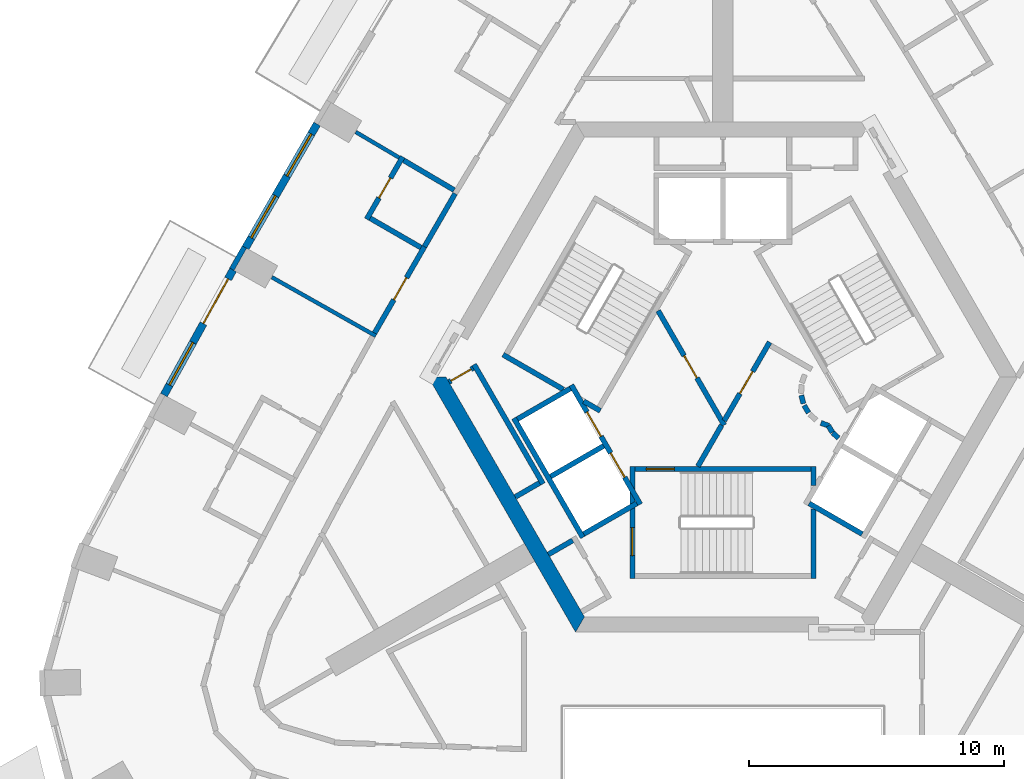
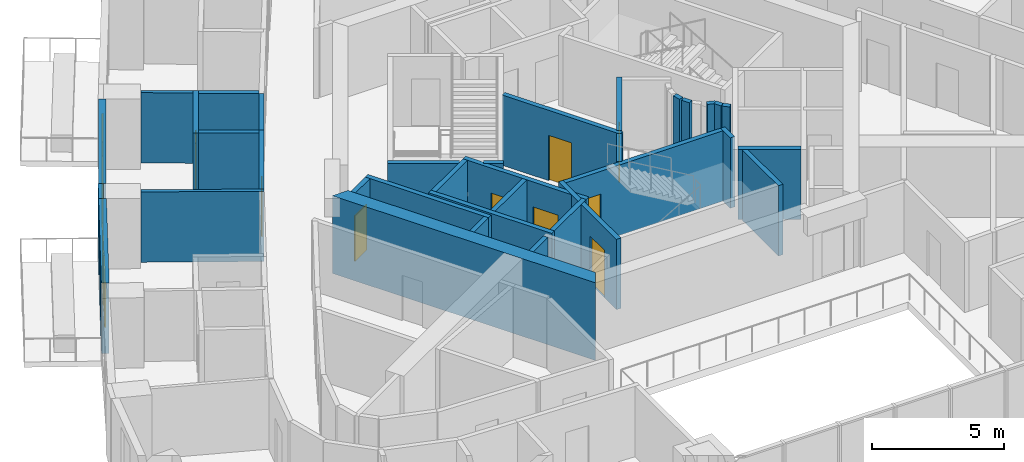
# One storey, part 5 of 14: 35 walls, 10 doors, 3 windows, 13 openings.
"""IFC4 building model written with IfcOpenShell, lengths in metres."""

from ifc_helpers import new_model, si_unit, direction, frame, frame_2d, origin, place, context, subcontext, project, spatial, polyline, rectangle, outline, extrude, material, layer, layer_set, type_object, element, fill, save


model = new_model("IFC4")

# Units and contexts
model_context = context("Model", 3, precision=1e-05, world=origin(), true_north=direction((0.0, 1.0)))
body_context = subcontext(model_context, "Body", "Model", "MODEL_VIEW")
ifc_project = project(units=[si_unit("LENGTHUNIT", "METRE"), si_unit("AREAUNIT", "SQUARE_METRE"), si_unit("VOLUMEUNIT", "CUBIC_METRE"), si_unit("PLANEANGLEUNIT", "RADIAN"), si_unit("MASSUNIT", "GRAM", prefix="KILO")], contexts=[model_context])

# Site, building, storey
site_placement = place(None, origin())
site = spatial("IfcSite", under=ifc_project, at=site_placement, CompositionType="ELEMENT")
building_placement = place(site_placement, origin())
building = spatial("IfcBuilding", under=site, at=building_placement, Name="Entoto Arch Interchange Tower", CompositionType="ELEMENT")
storey_placement = place(building_placement, frame((0.0, 0.0, 259.39990234375)))
storey = spatial("IfcBuildingStorey", under=building, at=storey_placement, Name="L59", CompositionType="ELEMENT", Elevation=259.39990234375)

# Wall
ifc_material_1 = material(Name="Concrete C40/50", Category="concrete")
ifc_layer_1 = layer(ifc_material_1, 0.60009765625)
ifc_layer_set_1 = layer_set([ifc_layer_1], Name="Concrete C40/50")
wall_type_1 = type_object("IfcWallType", Name="Core wall 600 C40/50", PredefinedType="SHEAR", material=ifc_layer_set_1)
wall_1_placement = place(storey_placement, frame((0.0, 0.0, -0.33984375)))
element("IfcWall", 1, at=wall_1_placement, inside=storey, type_object=wall_type_1, Name="Core wall SW L59", PredefinedType="SHEAR", context=body_context, shape_type="SweptSolid", body=[
    extrude(outline(polyline([(-11.547119140625, 2.5), (-5.77392578125, -7.5), (-5.427001953125, -6.89990234375), (-10.85400390625, 2.5), (-11.547119140625, 2.5)])), origin(), (0.0, 0.0, 1.0), 3.599853515625),
])

# Wall, openings, doors
ifc_layer_2 = layer(ifc_material_1, 0.199951171875)
ifc_layer_set_2 = layer_set([ifc_layer_2], Name="Concrete C40/50")
wall_type_2 = type_object("IfcWallType", Name="LIFT SHAFT WALL 200", PredefinedType="STANDARD", material=ifc_layer_set_2)
wall_2_placement = place(storey_placement, frame((-5.93994140625, 2.18798828125, 0.0), z_axis=(0.0, 0.0, 1.0), x_axis=(0.500034260056, -0.866005622828, 0.0)))
wall_2 = element("IfcWall", 2, at=wall_2_placement, inside=storey, type_object=wall_type_2, Name="Shaft wall SW1 front", PredefinedType="STANDARD", context=body_context, shape_type="SweptSolid", body=[
    extrude(rectangle(XDim=5.3994140625, YDim=0.199951171875, at=frame_2d((2.69970703125, 0.0))), origin(), (0.0, 0.0, 1.0), 3.260009765625),
])
opening_1_placement = place(wall_2_placement, frame((3.074951171875, 0.0, 0.0)))
opening_1 = element("IfcOpeningElement", 3, at=opening_1_placement, cuts=wall_2, Name="Opening LD-HR4-L59", PredefinedType="OPENING", context=body_context, shape_type="SweptSolid", body=[
    extrude(rectangle(XDim=1.10009765625, YDim=2.10009765625, at=frame_2d((0.550048828125, 1.050048828125))), frame((0.0, 0.10986328125, 0.0), z_axis=(0.0, -1.0, 0.0), x_axis=(1.0, 0.0, 0.0)), (0.0, 0.0, 1.0), 0.219970703125),
])
opening_2_placement = place(wall_2_placement, frame((1.22509765625, 0.0, 0.0)))
opening_2 = element("IfcOpeningElement", 4, at=opening_2_placement, cuts=wall_2, Name="Opening LD-FF2-L59", PredefinedType="OPENING", context=body_context, shape_type="SweptSolid", body=[
    extrude(rectangle(XDim=1.10009765625, YDim=2.10009765625, at=frame_2d((0.550048828125, 1.050048828125))), frame((0.0, 0.10986328125, 0.0), z_axis=(0.0, -1.0, 0.0), x_axis=(1.0, 0.0, 0.0)), (0.0, 0.0, 1.0), 0.219970703125),
])
ifc_material_2 = material(Name="Stainless steel 1.4301 panels", Category="steel")
door_type_1 = type_object("IfcDoorType", Name="LIFT LANDING DOOR LD1 1100x2100", OperationType="SLIDING_TO_LEFT", PredefinedType="DOOR", material=ifc_material_2)
door_1_placement = place(opening_1_placement, origin())
door_1 = element("IfcDoor", 5, at=door_1_placement, inside=storey, type_object=door_type_1, Name="Lift landing door HR4 L59", OperationType="SLIDING_TO_LEFT", OverallHeight=2.10009765625, OverallWidth=1.10009765625, PredefinedType="DOOR", context=body_context, shape_type="SweptSolid", body=[
    extrude(rectangle(XDim=1.10009765625, YDim=2.10009765625, at=frame_2d((0.550048828125, 1.050048828125))), frame((0.0, 0.02490234375, 0.0), z_axis=(0.0, -1.0, 0.0), x_axis=(1.0, 0.0, 0.0)), (0.0, 0.0, 1.0), 0.050048828125),
])
fill(opening_1, door_1)
door_2_placement = place(opening_2_placement, origin())
door_2 = element("IfcDoor", 6, at=door_2_placement, inside=storey, type_object=door_type_1, Name="Lift landing door FF2 L59", OperationType="SLIDING_TO_LEFT", OverallHeight=2.10009765625, OverallWidth=1.10009765625, PredefinedType="DOOR", context=body_context, shape_type="SweptSolid", body=[
    extrude(rectangle(XDim=1.10009765625, YDim=2.10009765625, at=frame_2d((0.550048828125, 1.050048828125))), frame((0.0, 0.02490234375, 0.0), z_axis=(0.0, -1.0, 0.0), x_axis=(1.0, 0.0, 0.0)), (0.0, 0.0, 1.0), 0.050048828125),
])
fill(opening_2, door_2)

# Walls
wall_3_placement = place(storey_placement, frame((-8.19189453125, 0.887939453125, 0.0), z_axis=(0.0, 0.0, 1.0), x_axis=(0.500034260056, -0.866005622828, 0.0)))
element("IfcWall", 7, at=wall_3_placement, inside=storey, type_object=wall_type_2, Name="Shaft wall SW1 back", PredefinedType="STANDARD", context=body_context, shape_type="SweptSolid", body=[
    extrude(rectangle(XDim=5.3994140625, YDim=0.199951171875, at=frame_2d((2.69970703125, 0.0))), origin(), (0.0, 0.0, 1.0), 3.260009765625),
])
for number, where, z_axis, x_axis, name in (
    (8, (-5.97705078125, 2.052001953125, 0.0), (0.0, 0.0, 1.0), (-0.865973769406, -0.500089422704, 0.0), "Shaft wall SW1 cross 1"),
    (9, (-4.677001953125, -0.199951171875, 0.0), (0.0, 0.0, 1.0), (-0.865973769406, -0.500089422704, 0.0), "Shaft wall SW1 cross 2"),
):
    element("IfcWall", number, at=place(storey_placement, frame(where, z_axis=z_axis, x_axis=x_axis)), inside=storey, type_object=wall_type_2, Name=name, PredefinedType="STANDARD", context=body_context, shape_type="SweptSolid", body=[
        extrude(rectangle(XDim=2.3994140625, YDim=0.199951171875, at=frame_2d((1.19970703125, 0.0))), origin(), (0.0, 0.0, 1.0), 3.260009765625),
    ])
for number, where, z_axis, x_axis, name in (
    (10, (-3.376953125, -2.451904296875, 0.0), (0.0, 0.0, 1.0), (-0.865955154139, -0.50012165622, 0.0), "Shaft wall SW1 cross 3"),
    (11, (3.376953125, -2.451904296875, 0.0), (0.0, 0.0, 1.0), (0.865955154139, -0.50012165622, 0.0), "Shaft wall SE1 cross 1"),
):
    element("IfcWall", number, at=place(storey_placement, frame(where, z_axis=z_axis, x_axis=x_axis)), inside=storey, type_object=wall_type_2, Name=name, PredefinedType="STANDARD", context=body_context, shape_type="SweptSolid", body=[
        extrude(rectangle(XDim=2.39990234375, YDim=0.199951171875, at=frame_2d((1.199951171875, 0.0))), origin(), (0.0, 0.0, 1.0), 3.260009765625),
    ])
ifc_material_3 = material(Name="Gypsum board partition on steel studs", Category="steel")
ifc_layer_3 = layer(ifc_material_3, 0.14990234375)
ifc_layer_set_3 = layer_set([ifc_layer_3], Name="Gypsum board partition on steel studs")
wall_type_3 = type_object("IfcWallType", Name="PARTITION 150", PredefinedType="PARTITIONING", material=ifc_layer_set_3)
wall_4_placement = place(storey_placement, frame((-12.68505859375, 11.095947265625, 0.0), z_axis=(0.0, 0.0, 1.0), x_axis=(-0.861157054724, 0.508338988371, 0.0)))
element("IfcWall", 12, at=wall_4_placement, inside=storey, type_object=wall_type_3, Name="wall:L59:p163", PredefinedType="PARTITIONING", context=body_context, shape_type="SweptSolid", body=[
    extrude(rectangle(XDim=1.981201171875, YDim=0.14990234375, at=frame_2d((0.99072265625, 0.0))), origin(), (0.0, 0.0, 1.0), 3.260009765625),
])
wall_5_placement = place(storey_placement, frame((-13.60205078125, 4.110107421875, 0.0), z_axis=(0.0, 0.0, 1.0), x_axis=(-0.870787203306, 0.491660092502, 0.0)))
element("IfcWall", 13, at=wall_5_placement, inside=storey, type_object=wall_type_3, Name="wall:L59:p167", PredefinedType="PARTITIONING", context=body_context, shape_type="SweptSolid", body=[
    extrude(rectangle(XDim=4.6796875, YDim=0.14990234375, at=frame_2d((2.33984375, 0.0))), origin(), (0.0, 0.0, 1.0), 3.260009765625),
])

# Wall, opening, door
ifc_layer_4 = layer(ifc_material_3, 0.199951171875)
ifc_layer_set_4 = layer_set([ifc_layer_4], Name="Gypsum board partition on steel studs")
wall_type_4 = type_object("IfcWallType", Name="PARTITION 200", PredefinedType="PARTITIONING", material=ifc_layer_set_4)
wall_6_placement = place(storey_placement, frame((-13.652099609375, 4.22412109375, 0.0), z_axis=(0.0, 0.0, 1.0), x_axis=(0.500221427001, 0.865897525097, 0.0)))
wall_6 = element("IfcWall", 14, at=wall_6_placement, inside=storey, type_object=wall_type_4, Name="wall:L59:p060", PredefinedType="PARTITIONING", context=body_context, shape_type="SweptSolid", body=[
    extrude(rectangle(XDim=3.910400390625, YDim=0.199951171875, at=frame_2d((1.955078125, 0.0))), origin(), (0.0, 0.0, 1.0), 3.260009765625),
])
opening_3_placement = place(wall_6_placement, frame((1.5048828125, 0.0, 0.0)))
opening_3 = element("IfcOpeningElement", 15, at=opening_3_placement, cuts=wall_6, Name="Opening L59-D23", PredefinedType="OPENING", context=body_context, shape_type="SweptSolid", body=[
    extrude(rectangle(XDim=1.0, YDim=2.10009765625, at=frame_2d((0.5, 1.050048828125))), frame((0.0, 0.10986328125, 0.0), z_axis=(0.0, -1.0, 0.0), x_axis=(1.0, 0.0, 0.0)), (0.0, 0.0, 1.0), 0.219970703125),
])
ifc_material_4 = material(Name="Fire-rated Steel S235 door and frame", Category="steel")
door_type_2 = type_object("IfcDoorType", Name="DOOR FD-10 1000x2100", OperationType="SINGLE_SWING_LEFT", PredefinedType="DOOR", material=ifc_material_4)
door_3_placement = place(opening_3_placement, origin())
door_3 = element("IfcDoor", 16, at=door_3_placement, inside=storey, type_object=door_type_2, Name="door:L59:23", OperationType="SINGLE_SWING_RIGHT", OverallHeight=2.10009765625, OverallWidth=1.0, PredefinedType="DOOR", context=body_context, shape_type="SweptSolid", body=[
    extrude(rectangle(XDim=1.0, YDim=2.10009765625, at=frame_2d((0.5, 1.050048828125))), frame((0.0, 0.02490234375, 0.0), z_axis=(0.0, -1.0, 0.0), x_axis=(1.0, 0.0, 0.0)), (0.0, 0.0, 1.0), 0.050048828125),
])
fill(opening_3, door_3)

# Wall
wall_7_placement = place(storey_placement, frame((-11.696044921875, 7.610107421875, 0.0), z_axis=(0.0, 0.0, 1.0), x_axis=(0.500089422704, 0.865973769406, 0.0)))
element("IfcWall", 17, at=wall_7_placement, inside=storey, type_object=wall_type_4, Name="wall:L59:p061", PredefinedType="PARTITIONING", context=body_context, shape_type="SweptSolid", body=[
    extrude(rectangle(XDim=2.3994140625, YDim=0.199951171875, at=frame_2d((1.19970703125, 0.0))), origin(), (0.0, 0.0, 1.0), 3.260009765625),
])

# Wall, opening, door
wall_8_placement = place(storey_placement, frame((-10.740966796875, 2.302978515625, 0.0), z_axis=(0.0, 0.0, 1.0), x_axis=(0.866063652425, 0.499933745558, 0.0)))
wall_8 = element("IfcWall", 18, at=wall_8_placement, inside=storey, type_object=wall_type_4, Name="wall:L59:p083", PredefinedType="PARTITIONING", context=body_context, shape_type="SweptSolid", body=[
    extrude(rectangle(XDim=1.100341796875, YDim=0.199951171875, at=frame_2d((0.55029296875, 0.0))), origin(), (0.0, 0.0, 1.0), 3.260009765625),
])
opening_4_placement = place(wall_8_placement, frame((0.10009765625, 0.0, 0.0)))
opening_4 = element("IfcOpeningElement", 19, at=opening_4_placement, cuts=wall_8, Name="Opening L59-D52", PredefinedType="OPENING", context=body_context, shape_type="SweptSolid", body=[
    extrude(rectangle(XDim=0.89990234375, YDim=2.10009765625, at=frame_2d((0.449951171875, 1.050048828125))), frame((0.0, 0.10986328125, 0.0), z_axis=(0.0, -1.0, 0.0), x_axis=(1.0, 0.0, 0.0)), (0.0, 0.0, 1.0), 0.219970703125),
])
ifc_material_5 = material(Name="Timber door leaf in Steel S235 frame", Category="steel")
door_type_3 = type_object("IfcDoorType", Name="DOOR DS-09 900x2100", OperationType="SINGLE_SWING_LEFT", PredefinedType="DOOR", material=ifc_material_5)
door_4_placement = place(opening_4_placement, origin())
door_4 = element("IfcDoor", 20, at=door_4_placement, inside=storey, type_object=door_type_3, Name="door:L59:52", OperationType="SINGLE_SWING_RIGHT", OverallHeight=2.10009765625, OverallWidth=0.89990234375, PredefinedType="DOOR", context=body_context, shape_type="SweptSolid", body=[
    extrude(rectangle(XDim=0.89990234375, YDim=2.10009765625, at=frame_2d((0.449951171875, 1.050048828125))), frame((0.0, 0.02490234375, 0.0), z_axis=(0.0, -1.0, 0.0), x_axis=(1.0, 0.0, 0.0)), (0.0, 0.0, 1.0), 0.050048828125),
])
fill(opening_4, door_4)

# Walls
wall_9_placement = place(storey_placement, frame((-9.7509765625, 2.989990234375, 0.0), z_axis=(0.0, 0.0, 1.0), x_axis=(0.499955951776, -0.866050833545, 0.0)))
element("IfcWall", 21, at=wall_9_placement, inside=storey, type_object=wall_type_4, Name="wall:L59:p084", PredefinedType="PARTITIONING", context=body_context, shape_type="SweptSolid", body=[
    extrude(rectangle(XDim=5.400390625, YDim=0.199951171875, at=frame_2d((2.7001953125, 0.0))), origin(), (0.0, 0.0, 1.0), 3.260009765625),
])
wall_10_placement = place(storey_placement, frame((-7.18798828125, -1.64990234375, 0.0), z_axis=(0.0, 0.0, 1.0), x_axis=(-0.865841558281, -0.500318294642, 0.0)))
element("IfcWall", 22, at=wall_10_placement, inside=storey, type_object=wall_type_4, Name="wall:L59:p085", PredefinedType="PARTITIONING", context=body_context, shape_type="SweptSolid", body=[
    extrude(rectangle(XDim=1.099365234375, YDim=0.199951171875, at=frame_2d((0.5498046875, 0.0))), origin(), (0.0, 0.0, 1.0), 3.260009765625),
])
wall_11_placement = place(storey_placement, frame((-6.841064453125, -4.451904296875, 0.0), z_axis=(0.0, 0.0, 1.0), x_axis=(0.86621513555, 0.499671230855, 0.0)))
element("IfcWall", 23, at=wall_11_placement, inside=storey, type_object=wall_type_4, Name="wall:L59:p086", PredefinedType="PARTITIONING", context=body_context, shape_type="SweptSolid", body=[
    extrude(rectangle(XDim=1.100341796875, YDim=0.199951171875, at=frame_2d((0.55029296875, 0.0))), origin(), (0.0, 0.0, 1.0), 3.260009765625),
])
wall_12_placement = place(storey_placement, frame((-0.98193359375, -1.0, 0.0), z_axis=(0.0, 0.0, 1.0), x_axis=(0.50024047865, 0.865886518847, 0.0)))
element("IfcWall", 24, at=wall_12_placement, inside=storey, type_object=wall_type_4, Name="wall:L59:p093", PredefinedType="PARTITIONING", context=body_context, shape_type="SweptSolid", body=[
    extrude(rectangle(XDim=1.86279296875, YDim=0.199951171875, at=frame_2d((0.931396484375, 0.0))), origin(), (0.0, 0.0, 1.0), 3.260009765625),
])

# Wall, opening, door
wall_13_placement = place(storey_placement, frame((0.050048828125, 0.787109375, 0.0), z_axis=(0.0, 0.0, 1.0), x_axis=(0.499954076797, 0.866051915934, 0.0)))
wall_13 = element("IfcWall", 25, at=wall_13_placement, inside=storey, type_object=wall_type_4, Name="wall:L59:p094", PredefinedType="PARTITIONING", context=body_context, shape_type="SweptSolid", body=[
    extrude(rectangle(XDim=3.558349609375, YDim=0.199951171875, at=frame_2d((1.779296875, 0.0))), origin(), (0.0, 0.0, 1.0), 3.260009765625),
])
opening_5_placement = place(wall_13_placement, frame((1.22900390625, 0.0, 0.0)))
opening_5 = element("IfcOpeningElement", 26, at=opening_5_placement, cuts=wall_13, Name="Opening L59-D46", PredefinedType="OPENING", context=body_context, shape_type="SweptSolid", body=[
    extrude(rectangle(XDim=1.0, YDim=2.10009765625, at=frame_2d((0.5, 1.050048828125))), frame((0.0, 0.10986328125, 0.0), z_axis=(0.0, -1.0, 0.0), x_axis=(1.0, 0.0, 0.0)), (0.0, 0.0, 1.0), 0.219970703125),
])
door_5_placement = place(opening_5_placement, origin())
door_5 = element("IfcDoor", 27, at=door_5_placement, inside=storey, type_object=door_type_2, Name="door:L59:46", OperationType="SINGLE_SWING_RIGHT", OverallHeight=2.10009765625, OverallWidth=1.0, PredefinedType="DOOR", context=body_context, shape_type="SweptSolid", body=[
    extrude(rectangle(XDim=1.0, YDim=2.10009765625, at=frame_2d((0.5, 1.050048828125))), frame((0.0, 0.02490234375, 0.0), z_axis=(0.0, -1.0, 0.0), x_axis=(1.0, 0.0, 0.0)), (0.0, 0.0, 1.0), 0.050048828125),
])
fill(opening_5, door_5)

# Walls
wall_14_placement = place(storey_placement, frame((3.070068359375, 1.785888671875, 0.0), z_axis=(0.0, 0.0, 1.0), x_axis=(0.242705583207, -0.970099994784, 0.0)))
element("IfcWall", 28, at=wall_14_placement, inside=storey, type_object=wall_type_4, Name="wall:L59:p098", PredefinedType="PARTITIONING", context=body_context, shape_type="SweptSolid", body=[
    extrude(rectangle(XDim=0.337890625, YDim=0.199951171875, at=frame_2d((0.1689453125, 0.0))), origin(), (0.0, 0.0, 1.0), 3.260009765625),
])
wall_15_placement = place(storey_placement, frame((3.181884765625, 1.387939453125, 0.0), z_axis=(0.0, 0.0, 1.0), x_axis=(0.512474702713, -0.85870232274, 0.0)))
element("IfcWall", 29, at=wall_15_placement, inside=storey, type_object=wall_type_4, Name="wall:L59:p099", PredefinedType="PARTITIONING", context=body_context, shape_type="SweptSolid", body=[
    extrude(rectangle(XDim=0.337646484375, YDim=0.199951171875, at=frame_2d((0.1689453125, 0.0))), origin(), (0.0, 0.0, 1.0), 3.260009765625),
])
wall_16_placement = place(storey_placement, frame((3.837890625, 0.701904296875, 0.0), z_axis=(0.0, 0.0, 1.0), x_axis=(0.941035081519, -0.338308993895, 0.0)))
element("IfcWall", 30, at=wall_16_placement, inside=storey, type_object=wall_type_4, Name="wall:L59:p101", PredefinedType="PARTITIONING", context=body_context, shape_type="SweptSolid", body=[
    extrude(rectangle(XDim=0.3369140625, YDim=0.199951171875, at=frame_2d((0.16845703125, 0.0))), origin(), (0.0, 0.0, 1.0), 3.260009765625),
])
wall_17_placement = place(storey_placement, frame((4.132080078125, 0.593017578125, 0.0), z_axis=(0.0, 0.0, 1.0), x_axis=(0.513561617048, -0.858052717201, 0.0)))
element("IfcWall", 31, at=wall_17_placement, inside=storey, type_object=wall_type_4, Name="wall:L59:p102", PredefinedType="PARTITIONING", context=body_context, shape_type="SweptSolid", body=[
    extrude(rectangle(XDim=0.3076171875, YDim=0.199951171875, at=frame_2d((0.15380859375, 0.0))), origin(), (0.0, 0.0, 1.0), 3.260009765625),
])
wall_18_placement = place(storey_placement, frame((4.301025390625, 0.31494140625, 0.0), z_axis=(0.0, 0.0, 1.0), x_axis=(0.741798017506, -0.670623367639, 0.0)))
element("IfcWall", 32, at=wall_18_placement, inside=storey, type_object=wall_type_4, Name="wall:L59:p103", PredefinedType="PARTITIONING", context=body_context, shape_type="SweptSolid", body=[
    extrude(rectangle(XDim=0.30859375, YDim=0.199951171875, at=frame_2d((0.154296875, 0.0))), origin(), (0.0, 0.0, 1.0), 3.260009765625),
])

# Wall, opening, door
wall_19_placement = place(storey_placement, frame((-2.5400390625, 5.10009765625, 0.0), z_axis=(0.0, 0.0, 1.0), x_axis=(0.499925051871, -0.866068670783, 0.0)))
wall_19 = element("IfcWall", 33, at=wall_19_placement, inside=storey, type_object=wall_type_4, Name="wall:L59:p104", PredefinedType="PARTITIONING", context=body_context, shape_type="SweptSolid", body=[
    extrude(rectangle(XDim=5.180908203125, YDim=0.199951171875, at=frame_2d((2.59033203125, 0.0))), origin(), (0.0, 0.0, 1.0), 3.260009765625),
])
opening_6_placement = place(wall_19_placement, frame((2.0400390625, 0.0, 0.0)))
opening_6 = element("IfcOpeningElement", 34, at=opening_6_placement, cuts=wall_19, Name="Opening L59-D47", PredefinedType="OPENING", context=body_context, shape_type="SweptSolid", body=[
    extrude(rectangle(XDim=1.0, YDim=2.10009765625, at=frame_2d((0.5, 1.050048828125))), frame((0.0, 0.10986328125, 0.0), z_axis=(0.0, -1.0, 0.0), x_axis=(1.0, 0.0, 0.0)), (0.0, 0.0, 1.0), 0.219970703125),
])
door_6_placement = place(opening_6_placement, origin())
door_6 = element("IfcDoor", 35, at=door_6_placement, inside=storey, type_object=door_type_2, Name="door:L59:47", OperationType="SINGLE_SWING_RIGHT", OverallHeight=2.10009765625, OverallWidth=1.0, PredefinedType="DOOR", context=body_context, shape_type="SweptSolid", body=[
    extrude(rectangle(XDim=1.0, YDim=2.10009765625, at=frame_2d((0.5, 1.050048828125))), frame((0.0, 0.02490234375, 0.0), z_axis=(0.0, -1.0, 0.0), x_axis=(1.0, 0.0, 0.0)), (0.0, 0.0, 1.0), 0.050048828125),
])
fill(opening_6, door_6)

# Wall
wall_20_placement = place(storey_placement, frame((-10.531982421875, 9.825927734375, 0.0), z_axis=(0.0, 0.0, 1.0), x_axis=(-0.861311086958, 0.508077958077, 0.0)))
element("IfcWall", 36, at=wall_20_placement, inside=storey, type_object=wall_type_4, Name="wall:L59:p164", PredefinedType="PARTITIONING", context=body_context, shape_type="SweptSolid", body=[
    extrude(rectangle(XDim=2.298828125, YDim=0.199951171875, at=frame_2d((1.1494140625, 0.0))), origin(), (0.0, 0.0, 1.0), 3.260009765625),
])

# Wall, opening, door
wall_21_placement = place(storey_placement, frame((-12.548095703125, 11.132080078125, 0.0), z_axis=(0.0, 0.0, 1.0), x_axis=(-0.500313606915, -0.865844267022, 0.0)))
wall_21 = element("IfcWall", 37, at=wall_21_placement, inside=storey, type_object=wall_type_4, Name="wall:L59:p165", PredefinedType="PARTITIONING", context=body_context, shape_type="SweptSolid", body=[
    extrude(rectangle(XDim=2.823974609375, YDim=0.199951171875, at=frame_2d((1.412109375, 0.0))), origin(), (0.0, 0.0, 1.0), 3.260009765625),
])
opening_7_placement = place(wall_21_placement, frame((0.9619140625, 0.0, 0.0)))
opening_7 = element("IfcOpeningElement", 38, at=opening_7_placement, cuts=wall_21, Name="Opening L59-D24", PredefinedType="OPENING", context=body_context, shape_type="SweptSolid", body=[
    extrude(rectangle(XDim=0.89990234375, YDim=2.10009765625, at=frame_2d((0.449951171875, 1.050048828125))), frame((0.0, 0.10986328125, 0.0), z_axis=(0.0, -1.0, 0.0), x_axis=(1.0, 0.0, 0.0)), (0.0, 0.0, 1.0), 0.219970703125),
])
door_7_placement = place(opening_7_placement, origin())
door_7 = element("IfcDoor", 39, at=door_7_placement, inside=storey, type_object=door_type_3, Name="door:L59:24", OperationType="SINGLE_SWING_LEFT", OverallHeight=2.10009765625, OverallWidth=0.89990234375, PredefinedType="DOOR", context=body_context, shape_type="SweptSolid", body=[
    extrude(rectangle(XDim=0.89990234375, YDim=2.10009765625, at=frame_2d((0.449951171875, 1.050048828125))), frame((0.0, 0.02490234375, 0.0), z_axis=(0.0, -1.0, 0.0), x_axis=(1.0, 0.0, 0.0)), (0.0, 0.0, 1.0), 0.050048828125),
])
fill(opening_7, door_7)

# Wall
wall_22_placement = place(storey_placement, frame((-13.824951171875, 8.722900390625, 0.0), z_axis=(0.0, 0.0, 1.0), x_axis=(0.866053019151, -0.499952165731, 0.0)))
element("IfcWall", 40, at=wall_22_placement, inside=storey, type_object=wall_type_4, Name="wall:L59:p166", PredefinedType="PARTITIONING", context=body_context, shape_type="SweptSolid", body=[
    extrude(rectangle(XDim=2.300048828125, YDim=0.199951171875, at=frame_2d((1.14990234375, 0.0))), origin(), (0.0, 0.0, 1.0), 3.260009765625),
])

# Wall, opening, door
ifc_layer_5 = layer(ifc_material_1, 0.199951171875)
ifc_layer_set_5 = layer_set([ifc_layer_5], Name="Concrete C40/50")
wall_type_5 = type_object("IfcWallType", Name="STAIR ENCLOSURE WALL 200", PredefinedType="STANDARD", material=ifc_layer_set_5)
wall_23_placement = place(storey_placement, frame((-3.550048828125, -1.0, 0.0), z_axis=(0.0, 0.0, 1.0), x_axis=(0.0, -1.0, 0.0)))
wall_23 = element("IfcWall", 41, at=wall_23_placement, inside=storey, type_object=wall_type_5, Name="Stair wall ST-S near", PredefinedType="STANDARD", context=body_context, shape_type="SweptSolid", body=[
    extrude(rectangle(XDim=4.39990234375, YDim=0.199951171875, at=frame_2d((2.199951171875, 0.0))), origin(), (0.0, 0.0, 1.0), 3.260009765625),
])
opening_8_placement = place(wall_23_placement, frame((2.39990234375, 0.0, 0.0)))
opening_8 = element("IfcOpeningElement", 42, at=opening_8_placement, cuts=wall_23, Name="Opening SD-ST-S-L59-E", PredefinedType="OPENING", context=body_context, shape_type="SweptSolid", body=[
    extrude(rectangle(XDim=1.10009765625, YDim=2.199951171875, at=frame_2d((0.550048828125, 1.10009765625))), frame((0.0, 0.10986328125, 0.0), z_axis=(0.0, -1.0, 0.0), x_axis=(1.0, 0.0, 0.0)), (0.0, 0.0, 1.0), 0.219970703125),
])
ifc_material_6 = material(Name="Steel S235", Category="steel")
door_type_4 = type_object("IfcDoorType", Name="STAIR DOOR SD1 1100x2200", OperationType="SINGLE_SWING_LEFT", PredefinedType="DOOR", material=ifc_material_6)
door_8_placement = place(opening_8_placement, origin())
door_8 = element("IfcDoor", 43, at=door_8_placement, inside=storey, type_object=door_type_4, Name="Stair door ST-S L59 end", OperationType="SINGLE_SWING_LEFT", OverallHeight=2.199951171875, OverallWidth=1.10009765625, PredefinedType="DOOR", context=body_context, shape_type="SweptSolid", body=[
    extrude(rectangle(XDim=1.10009765625, YDim=2.199951171875, at=frame_2d((0.550048828125, 1.10009765625))), frame((0.0, 0.02490234375, 0.0), z_axis=(0.0, -1.0, 0.0), x_axis=(1.0, 0.0, 0.0)), (0.0, 0.0, 1.0), 0.050048828125),
])
fill(opening_8, door_8)

# Walls
wall_24_placement = place(storey_placement, frame((3.550048828125, -2.6669921875, 0.0), z_axis=(0.0, 0.0, 1.0), x_axis=(0.0, -1.0, 0.0)))
element("IfcWall", 44, at=wall_24_placement, inside=storey, type_object=wall_type_5, Name="Stair wall ST-S far", PredefinedType="STANDARD", context=body_context, shape_type="SweptSolid", body=[
    extrude(rectangle(XDim=2.73291015625, YDim=0.199951171875, at=frame_2d((1.366455078125, 0.0))), origin(), (0.0, 0.0, 1.0), 3.260009765625),
])
wall_25_placement = place(storey_placement, frame((3.550048828125, -1.0, 0.0), z_axis=(0.0, 0.0, 1.0), x_axis=(0.0, -1.0, 0.0)))
element("IfcWall", 45, at=wall_25_placement, inside=storey, type_object=wall_type_5, Name="Stair wall ST-S far return", PredefinedType="STANDARD", context=body_context, shape_type="SweptSolid", body=[
    extrude(rectangle(XDim=0.7509765625, YDim=0.199951171875, at=frame_2d((0.37548828125, 0.0))), origin(), (0.0, 0.0, 1.0), 3.260009765625),
])

# Wall, opening, door
wall_26_placement = place(storey_placement, frame((-3.449951171875, -1.10009765625, 0.0), z_axis=(0.0, 0.0, 1.0), x_axis=(1.0, 0.0, 0.0)))
wall_26 = element("IfcWall", 46, at=wall_26_placement, inside=storey, type_object=wall_type_5, Name="Stair wall ST-S hall", PredefinedType="STANDARD", context=body_context, shape_type="SweptSolid", body=[
    extrude(rectangle(XDim=6.89990234375, YDim=0.199951171875, at=frame_2d((3.449951171875, 0.0))), origin(), (0.0, 0.0, 1.0), 3.260009765625),
])
opening_9_placement = place(wall_26_placement, frame((0.449951171875, 0.0, 0.0)))
opening_9 = element("IfcOpeningElement", 47, at=opening_9_placement, cuts=wall_26, Name="Opening SD-ST-S-L59", PredefinedType="OPENING", context=body_context, shape_type="SweptSolid", body=[
    extrude(rectangle(XDim=1.10009765625, YDim=2.199951171875, at=frame_2d((0.550048828125, 1.10009765625))), frame((0.0, 0.10986328125, 0.0), z_axis=(0.0, -1.0, 0.0), x_axis=(1.0, 0.0, 0.0)), (0.0, 0.0, 1.0), 0.219970703125),
])
door_9_placement = place(opening_9_placement, origin())
door_9 = element("IfcDoor", 48, at=door_9_placement, inside=storey, type_object=door_type_4, Name="Stair door ST-S L59", OperationType="SINGLE_SWING_LEFT", OverallHeight=2.199951171875, OverallWidth=1.10009765625, PredefinedType="DOOR", context=body_context, shape_type="SweptSolid", body=[
    extrude(rectangle(XDim=1.10009765625, YDim=2.199951171875, at=frame_2d((0.550048828125, 1.10009765625))), frame((0.0, 0.02490234375, 0.0), z_axis=(0.0, -1.0, 0.0), x_axis=(1.0, 0.0, 0.0)), (0.0, 0.0, 1.0), 0.050048828125),
])
fill(opening_9, door_9)

# Walls
wall_27_placement = place(storey_placement, frame((-6.25, 2.010009765625, 0.0), z_axis=(0.0, 0.0, 1.0), x_axis=(-0.86611865017, 0.499838457731, 0.0)))
element("IfcWall", 49, at=wall_27_placement, inside=storey, type_object=wall_type_5, Name="Stair wall ST-NW far", PredefinedType="STANDARD", context=body_context, shape_type="SweptSolid", body=[
    extrude(rectangle(XDim=2.73291015625, YDim=0.199951171875, at=frame_2d((1.366455078125, 0.0))), origin(), (0.0, 0.0, 1.0), 3.260009765625),
])
wall_28_placement = place(storey_placement, frame((-4.805908203125, 1.176025390625, 0.0), z_axis=(0.0, 0.0, 1.0), x_axis=(-0.866558586415, 0.499075361355, 0.0)))
element("IfcWall", 50, at=wall_28_placement, inside=storey, type_object=wall_type_5, Name="Stair wall ST-NW far return", PredefinedType="STANDARD", context=body_context, shape_type="SweptSolid", body=[
    extrude(rectangle(XDim=0.75146484375, YDim=0.199951171875, at=frame_2d((0.375732421875, 0.0))), origin(), (0.0, 0.0, 1.0), 3.260009765625),
])

# Wall, openings, windows
ifc_material_7 = material(Name="Welded tuff (ignimbrite) cladding, warm buff", Category="masonry")
ifc_layer_6 = layer(ifc_material_7, 0.300048828125)
ifc_layer_set_6 = layer_set([ifc_layer_6], Name="Welded tuff (ignimbrite) cladding, warm buff")
wall_type_6 = type_object("IfcWallType", Name="STONE INFILL WALL 300", PredefinedType="STANDARD", material=ifc_layer_set_6)
wall_29_placement = place(storey_placement, frame((-15.906005859375, 12.41796875, 0.0), z_axis=(0.0, 0.0, 1.0), x_axis=(-0.500089564757, -0.865973687372, 0.0)))
wall_29 = element("IfcWall", 51, at=wall_29_placement, inside=storey, type_object=wall_type_6, Name="Facade wall NW-03 L59", PredefinedType="STANDARD", context=body_context, shape_type="SweptSolid", body=[
    extrude(rectangle(XDim=5.60302734375, YDim=0.300048828125, at=frame_2d((2.801513671875, 0.0))), origin(), (0.0, 0.0, 1.0), 3.260009765625),
])
opening_10_placement = place(wall_29_placement, frame((0.450927734375, 0.0, 0.89990234375)))
opening_10 = element("IfcOpeningElement", 52, at=opening_10_placement, cuts=wall_29, Name="Opening WH-C", PredefinedType="OPENING", context=body_context, shape_type="SweptSolid", body=[
    extrude(rectangle(XDim=1.89990234375, YDim=2.0, at=frame_2d((0.949951171875, 1.0))), frame((0.0, 0.16015625, 0.0), z_axis=(0.0, -1.0, 0.0), x_axis=(1.0, 0.0, 0.0)), (0.0, 0.0, 1.0), 0.320068359375),
])
opening_11_placement = place(wall_29_placement, frame((3.251953125, 0.0, 0.89990234375)))
opening_11 = element("IfcOpeningElement", 53, at=opening_11_placement, cuts=wall_29, Name="Opening WH-C", PredefinedType="OPENING", context=body_context, shape_type="SweptSolid", body=[
    extrude(rectangle(XDim=1.89990234375, YDim=2.0, at=frame_2d((0.949951171875, 1.0))), frame((0.0, 0.16015625, 0.0), z_axis=(0.0, -1.0, 0.0), x_axis=(1.0, 0.0, 0.0)), (0.0, 0.0, 1.0), 0.320068359375),
])
ifc_material_8 = material(Name="Clear glass, low-e double glazed", Category="glass")
window_type = type_object("IfcWindowType", Name="WINDOW WH-C 1900x2000", PartitioningType="DOUBLE_PANEL_VERTICAL", PredefinedType="WINDOW", material=ifc_material_8)
window_1_placement = place(opening_10_placement, origin())
window_1 = element("IfcWindow", 54, at=window_1_placement, inside=storey, type_object=window_type, Name="Window WH-C NW-03 L59", OverallHeight=2.0, OverallWidth=1.89990234375, PartitioningType="SINGLE_PANEL", PredefinedType="WINDOW", context=body_context, shape_type="SweptSolid", body=[
    extrude(rectangle(XDim=1.89990234375, YDim=2.0, at=frame_2d((0.949951171875, 1.0))), frame((0.0, 0.030029296875, 0.0), z_axis=(0.0, -1.0, 0.0), x_axis=(1.0, 0.0, 0.0)), (0.0, 0.0, 1.0), 0.06005859375),
])
fill(opening_10, window_1)
window_2_placement = place(opening_11_placement, origin())
window_2 = element("IfcWindow", 55, at=window_2_placement, inside=storey, type_object=window_type, Name="Window WH-C NW-03 L59", OverallHeight=2.0, OverallWidth=1.89990234375, PartitioningType="SINGLE_PANEL", PredefinedType="WINDOW", context=body_context, shape_type="SweptSolid", body=[
    extrude(rectangle(XDim=1.89990234375, YDim=2.0, at=frame_2d((0.949951171875, 1.0))), frame((0.0, 0.030029296875, 0.0), z_axis=(0.0, -1.0, 0.0), x_axis=(1.0, 0.0, 0.0)), (0.0, 0.0, 1.0), 0.06005859375),
])
fill(opening_11, window_2)

# Wall, openings, door, window
wall_30_placement = place(storey_placement, frame((-19.198974609375, 6.697021484375, 0.0), z_axis=(0.0, 0.0, 1.0), x_axis=(-0.483469062695, -0.875361448441, 0.0)))
wall_30 = element("IfcWall", 56, at=wall_30_placement, inside=storey, type_object=wall_type_6, Name="Facade wall NW-04 L59", PredefinedType="STANDARD", context=body_context, shape_type="SweptSolid", body=[
    extrude(rectangle(XDim=5.601318359375, YDim=0.300048828125, at=frame_2d((2.80078125, 0.0))), origin(), (0.0, 0.0, 1.0), 3.260009765625),
])
opening_12_placement = place(wall_30_placement, frame((0.39990234375, 0.0, 0.0)))
opening_12 = element("IfcOpeningElement", 57, at=opening_12_placement, cuts=wall_30, Name="Opening DB-NW-04-L59", PredefinedType="OPENING", context=body_context, shape_type="SweptSolid", body=[
    extrude(rectangle(XDim=2.0, YDim=2.39990234375, at=frame_2d((1.0, 1.199951171875))), frame((0.0, 0.16015625, 0.0), z_axis=(0.0, -1.0, 0.0), x_axis=(1.0, 0.0, 0.0)), (0.0, 0.0, 1.0), 0.320068359375),
])
opening_13_placement = place(wall_30_placement, frame((3.2509765625, 0.0, 0.89990234375)))
opening_13 = element("IfcOpeningElement", 58, at=opening_13_placement, cuts=wall_30, Name="Opening WH-C", PredefinedType="OPENING", context=body_context, shape_type="SweptSolid", body=[
    extrude(rectangle(XDim=1.89990234375, YDim=2.0, at=frame_2d((0.949951171875, 1.0))), frame((0.0, 0.16015625, 0.0), z_axis=(0.0, -1.0, 0.0), x_axis=(1.0, 0.0, 0.0)), (0.0, 0.0, 1.0), 0.320068359375),
])
ifc_material_9 = material(Name="Aluminium and clear glass, anodised", Category="aluminium")
door_type_5 = type_object("IfcDoorType", Name="BALCONY DOOR DB 2000x2400", OperationType="SLIDING_TO_LEFT", PredefinedType="DOOR", material=ifc_material_9)
door_10_placement = place(opening_12_placement, origin())
door_10 = element("IfcDoor", 59, at=door_10_placement, inside=storey, type_object=door_type_5, Name="Balcony door NW-04 L59", OperationType="SLIDING_TO_LEFT", OverallHeight=2.39990234375, OverallWidth=2.0, PredefinedType="DOOR", context=body_context, shape_type="SweptSolid", body=[
    extrude(rectangle(XDim=2.0, YDim=2.39990234375, at=frame_2d((1.0, 1.199951171875))), frame((0.0, 0.02490234375, 0.0), z_axis=(0.0, -1.0, 0.0), x_axis=(1.0, 0.0, 0.0)), (0.0, 0.0, 1.0), 0.050048828125),
])
fill(opening_12, door_10)
window_3_placement = place(opening_13_placement, origin())
window_3 = element("IfcWindow", 60, at=window_3_placement, inside=storey, type_object=window_type, Name="Window WH-C NW-04 L59", OverallHeight=2.0, OverallWidth=1.89990234375, PartitioningType="SINGLE_PANEL", PredefinedType="WINDOW", context=body_context, shape_type="SweptSolid", body=[
    extrude(rectangle(XDim=1.89990234375, YDim=2.0, at=frame_2d((0.949951171875, 1.0))), frame((0.0, 0.030029296875, 0.0), z_axis=(0.0, -1.0, 0.0), x_axis=(1.0, 0.0, 0.0)), (0.0, 0.0, 1.0), 0.06005859375),
])
fill(opening_13, window_3)

# Wall
ifc_layer_7 = layer(ifc_material_7, 0.199951171875)
ifc_layer_set_7 = layer_set([ifc_layer_7], Name="Welded tuff (ignimbrite) cladding, warm buff")
wall_type_7 = type_object("IfcWallType", Name="STONE PIER CLADDING 200", PredefinedType="STANDARD", material=ifc_layer_set_7)
wall_31_placement = place(storey_placement, frame((-18.7548828125, 7.593994140625, 0.0), z_axis=(0.0, 0.0, 1.0), x_axis=(-0.491928603027, -0.870635543453, 0.0)))
element("IfcWall", 61, at=wall_31_placement, inside=storey, type_object=wall_type_7, Name="Stone pier NW04 L59", PredefinedType="STANDARD", context=body_context, shape_type="SweptSolid", body=[
    extrude(rectangle(XDim=1.00048828125, YDim=0.199951171875, at=frame_2d((0.500244140625, 0.0))), origin(), (0.0, 0.0, 1.0), 3.260009765625),
])

save(model, "model.ifc")
